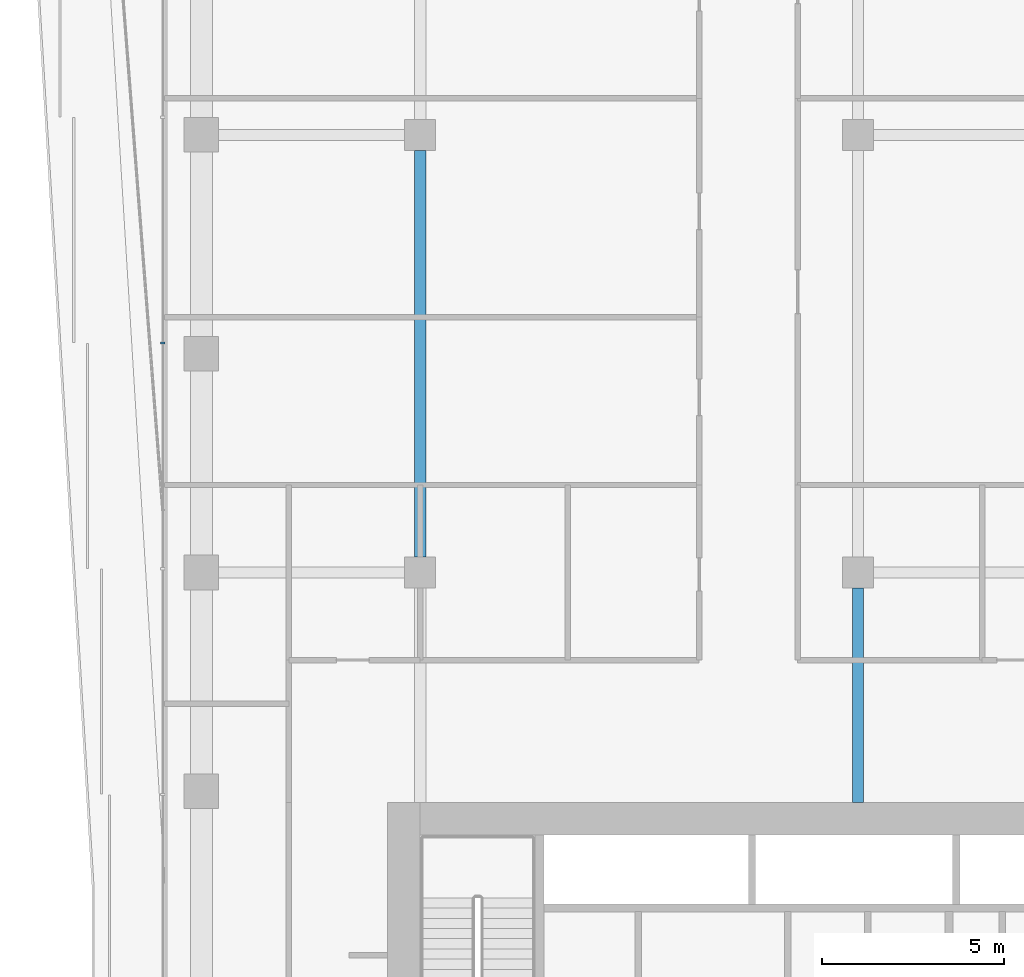
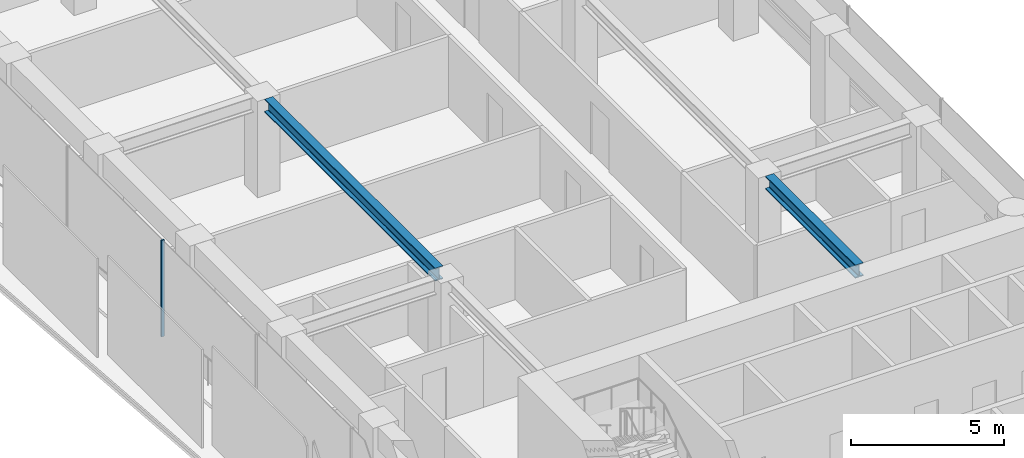
# One storey, part 14 of 29: 2 beams, 1 member, 1 element without a shape of its own.
"""IFC4 building model written with IfcOpenShell, lengths in metres."""

from ifc_helpers import new_model, si_unit, direction, frame, origin, origin_2d, place, context, subcontext, project, spatial, rectangle, i_section, extrude, material, layer, layer_set, material_profile, profile_set, type_object, element, aggregate, save


model = new_model("IFC4")

# Units and contexts
model_context = context("Model", 3, precision=1e-05, world=origin(), true_north=direction((0.0, 1.0)))
body_context = subcontext(model_context, "Body", "Model", "MODEL_VIEW")
ifc_project = project(units=[si_unit("LENGTHUNIT", "METRE"), si_unit("AREAUNIT", "SQUARE_METRE"), si_unit("VOLUMEUNIT", "CUBIC_METRE"), si_unit("PLANEANGLEUNIT", "RADIAN"), si_unit("MASSUNIT", "GRAM", prefix="KILO")], contexts=[model_context])

# Site, building, storey
site_placement = place(None, origin())
site = spatial("IfcSite", under=ifc_project, at=site_placement, CompositionType="ELEMENT")
building_placement = place(site_placement, origin())
building = spatial("IfcBuilding", under=site, at=building_placement, Name="Welwitschia Terrace Campus", CompositionType="ELEMENT")
storey_placement = place(building_placement, frame((0.0, 0.0, 66.800048828125)))
storey = spatial("IfcBuildingStorey", under=building, at=storey_placement, Name="L15", CompositionType="ELEMENT", Elevation=66.800048828125)

# Beams
ifc_material_1 = material(Name="Steel S355", Category="steel")
ifc_material_profile_1 = material_profile(ifc_material_1, i_section(OverallWidth=0.305908203125, OverallDepth=0.52392578125, WebThickness=0.02099609375, FlangeThickness=0.0400390625, FilletRadius=0.027099609375, at=origin_2d()))
ifc_profile_set_1 = profile_set([ifc_material_profile_1], Name="Steel S355")
beam_type = type_object("IfcBeamType", Name="Interior girder HE 500 M", PredefinedType="BEAM", material=ifc_profile_set_1)
beam_1_placement = place(storey_placement, frame((6.0, 32.425537109375, 3.587890625), z_axis=(0.0, 1.0, 0.0), x_axis=(-1.0, 0.0, 0.0)))
element("IfcBeam", 1, at=beam_1_placement, inside=storey, type_object=beam_type, Name="Girder GB2", PredefinedType="BEAM", context=body_context, shape_type="SweptSolid", body=[
    extrude(i_section(OverallWidth=0.305908203125, OverallDepth=0.52392578125, WebThickness=0.02099609375, FlangeThickness=0.0400390625, FilletRadius=0.027099609375, at=origin_2d()), origin(), (0.0, 0.0, 1.0), 11.14892578125),
])
beam_2_placement = place(storey_placement, frame((18.0, 25.700927734375, 3.587890625), z_axis=(0.0, 1.0, 0.0), x_axis=(-1.0, 0.0, 0.0)))
element("IfcBeam", 2, at=beam_2_placement, inside=storey, type_object=beam_type, Name="Girder GB2", PredefinedType="BEAM", context=body_context, shape_type="SweptSolid", body=[
    extrude(i_section(OverallWidth=0.305908203125, OverallDepth=0.52392578125, WebThickness=0.02099609375, FlangeThickness=0.0400390625, FilletRadius=0.027099609375, at=origin_2d()), origin(), (0.0, 0.0, 1.0), 5.87353515625),
])

# Curtain wall, member
ifc_material_2 = material(Name="Bronze anodised aluminium", Category="aluminium")
ifc_layer = layer(ifc_material_2, 0.1201171875)
ifc_layer_set = layer_set([ifc_layer], Name="Bronze anodised aluminium")
curtain_wall_type = type_object("IfcCurtainWallType", Name="Curtain wall CW2 tower 6000", PredefinedType="NOTDEFINED", material=ifc_layer_set)
curtain_wall_placement = place(storey_placement, origin())
curtain_wall = element("IfcCurtainWall", 3, at=curtain_wall_placement, inside=storey, type_object=curtain_wall_type, Name="CW L15.12.0", PredefinedType="NOTDEFINED")
ifc_material_3 = material(Name="Bronze anodised aluminium", Category="aluminium")
ifc_material_profile_2 = material_profile(ifc_material_3, rectangle(XDim=0.1201171875, YDim=0.06005859375, at=origin_2d()))
ifc_profile_set_2 = profile_set([ifc_material_profile_2], Name="Bronze anodised aluminium")
member_type = type_object("IfcMemberType", Name="Mullion 60x120", PredefinedType="MULLION", material=ifc_profile_set_2)
member_placement = place(storey_placement, frame((-1.05810546875, 38.29443359375, 0.0), z_axis=(0.0, 0.0, 1.0), x_axis=(1.0, 0.0, 0.0)))
member = element("IfcMember", 4, at=member_placement, type_object=member_type, Name="Mullion L15.12.0.4", PredefinedType="MULLION", context=body_context, shape_type="SweptSolid", body=[
    extrude(rectangle(XDim=0.1201171875, YDim=0.06005859375, at=origin_2d()), origin(), (0.0, 0.0, 1.0), 3.849853515625),
])
aggregate(curtain_wall, [member])

save(model, "model.ifc")
